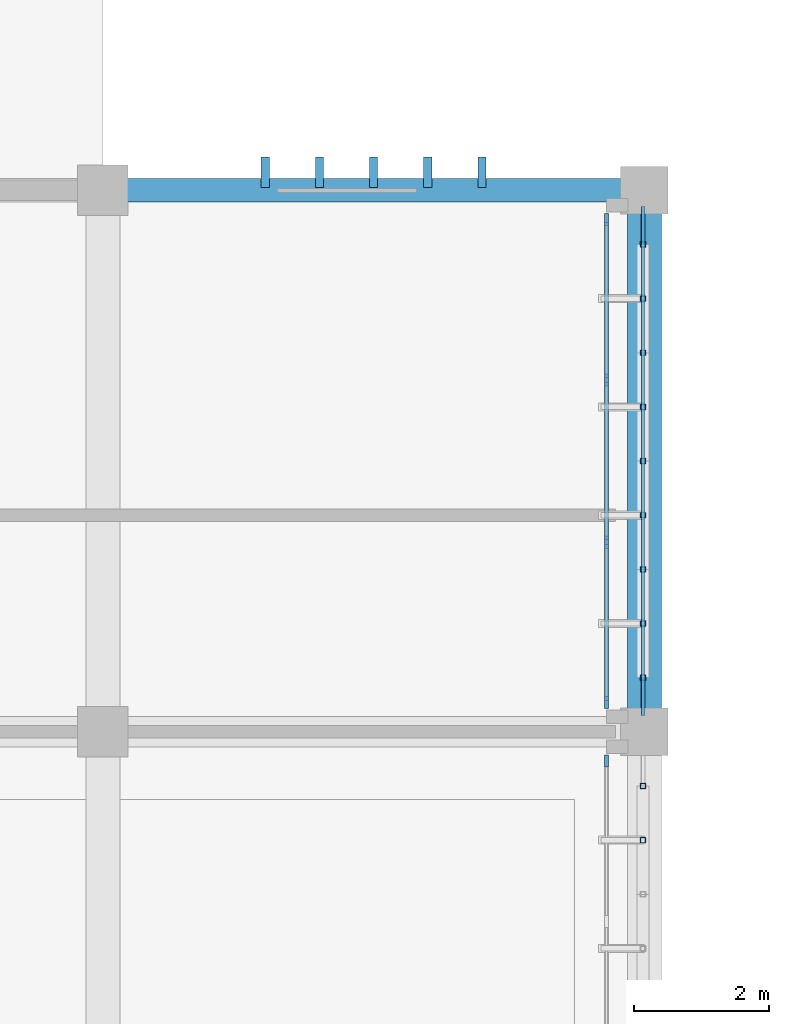
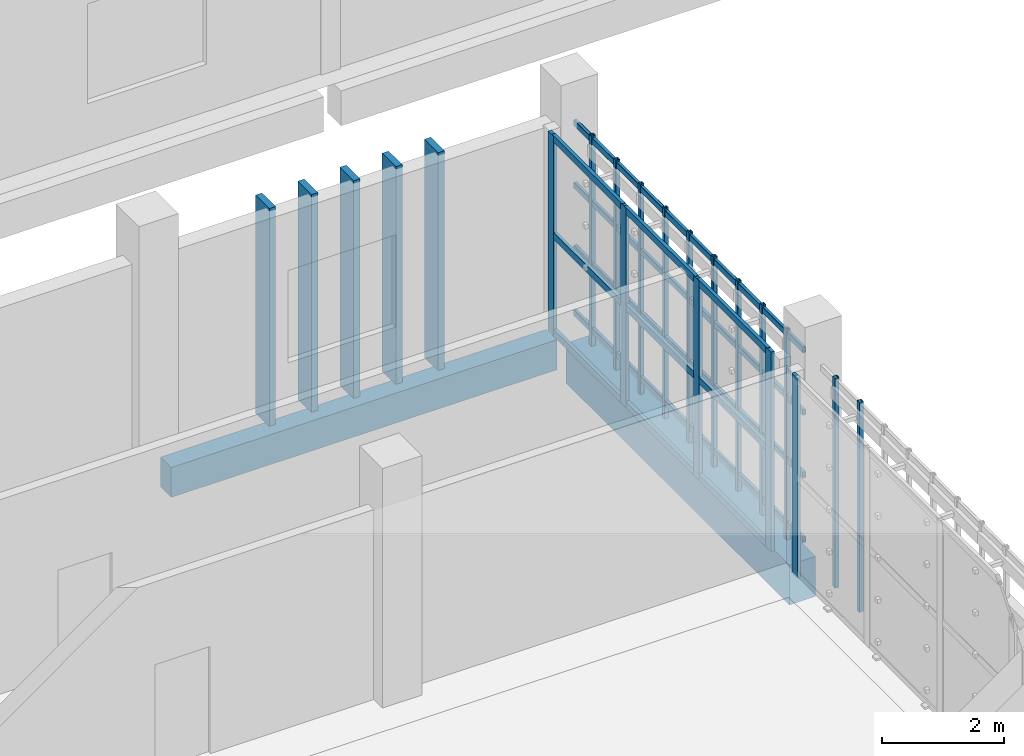
# One storey, part 73 of 117: 34 members, 2 beams, 2 elements without a shape of their own.
"""IFC4 building model written with IfcOpenShell, lengths in metres."""

from ifc_helpers import new_model, si_unit, direction, frame, origin, origin_2d, place, context, subcontext, project, spatial, rectangle, hollow_rectangle, extrude, material, layer, layer_set, material_profile, profile_set, type_object, element, aggregate, save


model = new_model("IFC4")

# Units and contexts
model_context = context("Model", 3, precision=1e-05, world=origin(), true_north=direction((0.0, 1.0)))
body_context = subcontext(model_context, "Body", "Model", "MODEL_VIEW")
ifc_project = project(units=[si_unit("LENGTHUNIT", "METRE"), si_unit("AREAUNIT", "SQUARE_METRE"), si_unit("VOLUMEUNIT", "CUBIC_METRE"), si_unit("PLANEANGLEUNIT", "RADIAN"), si_unit("MASSUNIT", "GRAM", prefix="KILO")], contexts=[model_context])

# Site, building, storey
site_placement = place(None, origin())
site = spatial("IfcSite", under=ifc_project, at=site_placement, CompositionType="ELEMENT")
building_placement = place(site_placement, origin())
building = spatial("IfcBuilding", under=site, at=building_placement, Name="Jelvoka-Kovrelna Polytechnic", CompositionType="ELEMENT")
storey_placement = place(building_placement, origin())
storey = spatial("IfcBuildingStorey", under=building, at=storey_placement, Name="L01", CompositionType="ELEMENT", Elevation=0.0)

# Beam
ifc_material_1 = material(Name="Concrete C40/50", Category="concrete")
ifc_material_profile_1 = material_profile(ifc_material_1, rectangle(XDim=0.5, YDim=0.800048828125, at=origin_2d()), Name="RC 500x800")
ifc_profile_set_1 = profile_set([ifc_material_profile_1], Name="Concrete C40/50")
beam_type_1 = type_object("IfcBeamType", Name="Beam_RC_500x800", PredefinedType="BEAM", material=ifc_profile_set_1)
beam_1_placement = place(storey_placement, frame((192.0, 64.330078125, -0.804931640625), z_axis=(0.0, 1.0, 0.0), x_axis=(-1.0, 0.0, 0.0)))
element("IfcBeam", 1, at=beam_1_placement, inside=storey, type_object=beam_type_1, Name="L01 beam 0522", PredefinedType="BEAM", context=body_context, shape_type="SweptSolid", body=[
    extrude(rectangle(XDim=0.5, YDim=0.800048828125, at=origin_2d()), origin(), (0.0, 0.0, 1.0), 7.33984375),
])

# Members
ifc_material_2 = material(Name="Precast concrete C40/50", Category="concrete")
ifc_material_profile_2 = material_profile(ifc_material_2, rectangle(XDim=0.1201171875, YDim=0.449951171875, at=origin_2d()), Name="PC 120x450")
ifc_profile_set_2 = profile_set([ifc_material_profile_2], Name="Precast concrete C40/50")
member_type_1 = type_object("IfcMemberType", Name="Louvre_Fin_120x450", PredefinedType="USERDEFINED", material=ifc_profile_set_2)
for number, where, z_axis, x_axis, name in (
    (2, (186.39990234375, 72.264892578125, -0.419921875), (0.0, 0.0, 1.0), (1.0, 0.0, 0.0), "L01 B3 north vertical solar louvre fin 1316"),
    (3, (187.199951171875, 72.264892578125, -0.419921875), (0.0, 0.0, 1.0), (1.0, 0.0, 0.0), "L01 B3 north vertical solar louvre fin 1317"),
    (4, (188.0, 72.264892578125, -0.419921875), (0.0, 0.0, 1.0), (1.0, 0.0, 0.0), "L01 B3 north vertical solar louvre fin 1318"),
    (5, (188.800048828125, 72.264892578125, -0.419921875), (0.0, 0.0, 1.0), (1.0, 0.0, 0.0), "L01 B3 north vertical solar louvre fin 1319"),
    (6, (189.60009765625, 72.264892578125, -0.419921875), (0.0, 0.0, 1.0), (1.0, 0.0, 0.0), "L01 B3 north vertical solar louvre fin 1320"),
):
    element("IfcMember", number, at=place(storey_placement, frame(where, z_axis=z_axis, x_axis=x_axis)), inside=storey, type_object=member_type_1, Name=name, ObjectType="SUNSHADE", PredefinedType="USERDEFINED", context=body_context, shape_type="SweptSolid", body=[
        extrude(rectangle(XDim=0.1201171875, YDim=0.449951171875, at=origin_2d()), origin(), (0.0, 0.0, 1.0), 4.3798828125),
    ])
ifc_material_3 = material(Name="Structural steel S355J2H", Category="steel")
ifc_material_profile_3 = material_profile(ifc_material_3, hollow_rectangle(XDim=0.06005859375, YDim=0.1201171875, WallThickness=0.0048828125, InnerFilletRadius=0.0048828125, OuterFilletRadius=0.007568359375, at=origin_2d()), Name="120x60x5.0 RHS")
ifc_profile_set_3 = profile_set([ifc_material_profile_3], Name="Structural steel S355J2H")
member_type_2 = type_object("IfcMemberType", Name="Member_Strut_RHS120", PredefinedType="STRUT", material=ifc_profile_set_3)
for number, where, z_axis, x_axis, name in (
    (7, (191.97998046875, 64.239990234375, 0.080078125), (0.0, 1.0, 0.0), (-1.0, 0.0, 0.0), "L01 terracotta screen horizontal strut 0638"),
    (8, (191.97998046875, 64.239990234375, 1.37548828125), (0.0, 1.0, 0.0), (-1.0, 0.0, 0.0), "L01 terracotta screen horizontal strut 0639"),
    (9, (191.97998046875, 64.239990234375, 2.6328125), (0.0, 1.0, 0.0), (-1.0, 0.0, 0.0), "L01 terracotta screen horizontal strut 0640"),
    (10, (191.97998046875, 64.239990234375, 3.889892578125), (0.0, 1.0, 0.0), (-1.0, 0.0, 0.0), "L01 terracotta screen horizontal strut 0641"),
):
    element("IfcMember", number, at=place(storey_placement, frame(where, z_axis=z_axis, x_axis=x_axis)), inside=storey, type_object=member_type_2, Name=name, PredefinedType="STRUT", context=body_context, shape_type="SweptSolid", body=[
        extrude(hollow_rectangle(XDim=0.06005859375, YDim=0.1201171875, WallThickness=0.0048828125, InnerFilletRadius=0.0048828125, OuterFilletRadius=0.007568359375, at=origin_2d()), origin(), (0.0, 0.0, 1.0), 7.52001953125),
    ])
ifc_material_4 = material(Name="Structural steel S355J2H", Category="steel")
ifc_material_profile_4 = material_profile(ifc_material_4, hollow_rectangle(XDim=0.080078125, YDim=0.080078125, WallThickness=0.0048828125, InnerFilletRadius=0.0048828125, OuterFilletRadius=0.007568359375, at=origin_2d()), Name="80x80x5.0 SHS")
ifc_profile_set_4 = profile_set([ifc_material_profile_4], Name="Structural steel S355J2H")
member_type_3 = type_object("IfcMemberType", Name="Member_Strut_SHS80", PredefinedType="STRUT", material=ifc_profile_set_4)
for number, where, z_axis, x_axis, name in (
    (11, (191.97998046875, 62.39990234375, -0.22998046875), (0.0, 0.0, 1.0), (1.0, 0.0, 0.0), "L01 terracotta lattice vertical rib 0636"),
    (12, (191.97998046875, 63.199951171875, -0.22998046875), (0.0, 0.0, 1.0), (1.0, 0.0, 0.0), "L01 terracotta lattice vertical rib 0637"),
    (13, (191.97998046875, 64.800048828125, -0.22998046875), (0.0, 0.0, 1.0), (1.0, 0.0, 0.0), "L01 terracotta lattice vertical rib 0642"),
    (14, (191.97998046875, 65.60009765625, -0.22998046875), (0.0, 0.0, 1.0), (1.0, 0.0, 0.0), "L01 terracotta lattice vertical rib 0643"),
    (15, (191.97998046875, 66.39990234375, -0.22998046875), (0.0, 0.0, 1.0), (1.0, 0.0, 0.0), "L01 terracotta lattice vertical rib 0644"),
    (16, (191.97998046875, 67.199951171875, -0.22998046875), (0.0, 0.0, 1.0), (1.0, 0.0, 0.0), "L01 terracotta lattice vertical rib 0645"),
    (17, (191.97998046875, 68.0, -0.22998046875), (0.0, 0.0, 1.0), (1.0, 0.0, 0.0), "L01 terracotta lattice vertical rib 0646"),
    (18, (191.97998046875, 68.800048828125, -0.22998046875), (0.0, 0.0, 1.0), (1.0, 0.0, 0.0), "L01 terracotta lattice vertical rib 0647"),
    (19, (191.97998046875, 69.60009765625, -0.22998046875), (0.0, 0.0, 1.0), (1.0, 0.0, 0.0), "L01 terracotta lattice vertical rib 0648"),
    (20, (191.97998046875, 70.39990234375, -0.22998046875), (0.0, 0.0, 1.0), (1.0, 0.0, 0.0), "L01 terracotta lattice vertical rib 0649"),
    (21, (191.97998046875, 71.199951171875, -0.22998046875), (0.0, 0.0, 1.0), (1.0, 0.0, 0.0), "L01 terracotta lattice vertical rib 0650"),
):
    element("IfcMember", number, at=place(storey_placement, frame(where, z_axis=z_axis, x_axis=x_axis)), inside=storey, type_object=member_type_3, Name=name, PredefinedType="STRUT", context=body_context, shape_type="SweptSolid", body=[
        extrude(hollow_rectangle(XDim=0.080078125, YDim=0.080078125, WallThickness=0.0048828125, InnerFilletRadius=0.0048828125, OuterFilletRadius=0.007568359375, at=origin_2d()), origin(), (0.0, 0.0, 1.0), 4.2099609375),
    ])

# Curtain wall, member
ifc_material_5 = material(Name="Anodised aluminium 6063-T6", Category="aluminium")
ifc_layer = layer(ifc_material_5, 0.179931640625)
ifc_layer_set = layer_set([ifc_layer], Name="Anodised aluminium 6063-T6")
curtain_wall_type = type_object("IfcCurtainWallType", Name="CW_Recessed_B", PredefinedType="NOTDEFINED", material=ifc_layer_set)
curtain_wall_1_placement = place(storey_placement, origin())
curtain_wall_1 = element("IfcCurtainWall", 22, at=curtain_wall_1_placement, inside=storey, type_object=curtain_wall_type, Name="L01 glazed curtain wall 081", PredefinedType="NOTDEFINED")
ifc_material_6 = material(Name="Anodised aluminium 6063-T6", Category="aluminium")
ifc_material_profile_5 = material_profile(ifc_material_6, rectangle(XDim=0.06494140625, YDim=0.179931640625, at=origin_2d()), Name="ALU 65x180")
ifc_profile_set_5 = profile_set([ifc_material_profile_5], Name="Anodised aluminium 6063-T6")
member_type_4 = type_object("IfcMemberType", Name="Mullion_M-02", PredefinedType="MULLION", material=ifc_profile_set_5)
member_1_placement = place(storey_placement, frame((191.43994140625, 63.5673828125, -0.02490234375), z_axis=(0.0, 0.0, 1.0), x_axis=(1.0, 0.0, 0.0)))
member_1 = element("IfcMember", 23, at=member_1_placement, type_object=member_type_4, Name="CW-02 mullion 1", PredefinedType="MULLION", context=body_context, shape_type="SweptSolid", body=[
    extrude(rectangle(XDim=0.06494140625, YDim=0.179931640625, at=origin_2d()), origin(), (0.0, 0.0, 1.0), 4.0),
])
aggregate(curtain_wall_1, [member_1])

# Curtain wall, members
curtain_wall_2_placement = place(storey_placement, origin())
curtain_wall_2 = element("IfcCurtainWall", 24, at=curtain_wall_2_placement, inside=storey, type_object=curtain_wall_type, Name="L01 glazed curtain wall 082", PredefinedType="NOTDEFINED")
member_2_placement = place(storey_placement, frame((191.43994140625, 71.5673828125, -0.02490234375), z_axis=(0.0, 0.0, 1.0), x_axis=(1.0, 0.0, 0.0)))
member_2 = element("IfcMember", 25, at=member_2_placement, type_object=member_type_4, Name="CW-02 mullion 1", PredefinedType="MULLION", context=body_context, shape_type="SweptSolid", body=[
    extrude(rectangle(XDim=0.06494140625, YDim=0.179931640625, at=origin_2d()), origin(), (0.0, 0.0, 1.0), 4.0),
])
member_3_placement = place(storey_placement, frame((191.43994140625, 69.199951171875, -0.02490234375), z_axis=(0.0, 0.0, 1.0), x_axis=(1.0, 0.0, 0.0)))
member_3 = element("IfcMember", 26, at=member_3_placement, type_object=member_type_4, Name="CW-02 mullion 2", PredefinedType="MULLION", context=body_context, shape_type="SweptSolid", body=[
    extrude(rectangle(XDim=0.06494140625, YDim=0.179931640625, at=origin_2d()), origin(), (0.0, 0.0, 1.0), 4.0),
])
member_4_placement = place(storey_placement, frame((191.43994140625, 66.800048828125, -0.02490234375), z_axis=(0.0, 0.0, 1.0), x_axis=(1.0, 0.0, 0.0)))
member_4 = element("IfcMember", 27, at=member_4_placement, type_object=member_type_4, Name="CW-02 mullion 3", PredefinedType="MULLION", context=body_context, shape_type="SweptSolid", body=[
    extrude(rectangle(XDim=0.06494140625, YDim=0.179931640625, at=origin_2d()), origin(), (0.0, 0.0, 1.0), 4.0),
])
member_5_placement = place(storey_placement, frame((191.43994140625, 64.4326171875, -0.02490234375), z_axis=(0.0, 0.0, 1.0), x_axis=(1.0, 0.0, 0.0)))
member_5 = element("IfcMember", 28, at=member_5_placement, type_object=member_type_4, Name="CW-02 mullion 4", PredefinedType="MULLION", context=body_context, shape_type="SweptSolid", body=[
    extrude(rectangle(XDim=0.06494140625, YDim=0.179931640625, at=origin_2d()), origin(), (0.0, 0.0, 1.0), 4.0),
])

# Beam
ifc_material_7 = material(Name="Concrete C40/50", Category="concrete")
ifc_material_profile_6 = material_profile(ifc_material_7, rectangle(XDim=0.35009765625, YDim=0.60009765625, at=origin_2d()), Name="RC 350x600")
ifc_profile_set_6 = profile_set([ifc_material_profile_6], Name="Concrete C40/50")
beam_type_2 = type_object("IfcBeamType", Name="Spandrel_RC_350x600", PredefinedType="SPANDREL", material=ifc_profile_set_6)
beam_2_placement = place(storey_placement, frame((184.35498046875, 72.0, -0.705078125), z_axis=(1.0, 0.0, 0.0), x_axis=(0.0, 1.0, 0.0)))
element("IfcBeam", 29, at=beam_2_placement, inside=storey, type_object=beam_type_2, Name="L01 beam 0502", PredefinedType="SPANDREL", context=body_context, shape_type="SweptSolid", body=[
    extrude(rectangle(XDim=0.35009765625, YDim=0.60009765625, at=origin_2d()), origin(), (0.0, 0.0, 1.0), 7.31494140625),
])

# Member
ifc_material_8 = material(Name="Anodised aluminium 6063-T6", Category="aluminium")
ifc_material_profile_7 = material_profile(ifc_material_8, rectangle(XDim=0.06494140625, YDim=0.135009765625, at=origin_2d()), Name="ALU 65x135")
ifc_profile_set_7 = profile_set([ifc_material_profile_7], Name="Anodised aluminium 6063-T6")
member_type_5 = type_object("IfcMemberType", Name="Transom_T-02", PredefinedType="USERDEFINED", material=ifc_profile_set_7)
member_6_placement = place(storey_placement, frame((191.43994140625, 71.534912109375, 0.032470703125), z_axis=(0.0, -1.0, 0.0), x_axis=(1.0, 0.0, 0.0)))
member_6 = element("IfcMember", 30, at=member_6_placement, type_object=member_type_5, Name="CW-02 transom 1.1", ObjectType="TRANSOM", PredefinedType="USERDEFINED", context=body_context, shape_type="SweptSolid", body=[
    extrude(rectangle(XDim=0.06494140625, YDim=0.135009765625, at=origin_2d()), origin(), (0.0, 0.0, 1.0), 2.302490234375),
])

member_7_placement = place(storey_placement, frame((191.43994140625, 71.534912109375, 1.97509765625), z_axis=(0.0, -1.0, 0.0), x_axis=(1.0, 0.0, 0.0)))
member_7 = element("IfcMember", 31, at=member_7_placement, type_object=member_type_5, Name="CW-02 transom 1.2", ObjectType="TRANSOM", PredefinedType="USERDEFINED", context=body_context, shape_type="SweptSolid", body=[
    extrude(rectangle(XDim=0.06494140625, YDim=0.135009765625, at=origin_2d()), origin(), (0.0, 0.0, 1.0), 2.302490234375),
])

member_8_placement = place(storey_placement, frame((191.43994140625, 71.534912109375, 3.91748046875), z_axis=(0.0, -1.0, 0.0), x_axis=(1.0, 0.0, 0.0)))
member_8 = element("IfcMember", 32, at=member_8_placement, type_object=member_type_5, Name="CW-02 transom 1.3", ObjectType="TRANSOM", PredefinedType="USERDEFINED", context=body_context, shape_type="SweptSolid", body=[
    extrude(rectangle(XDim=0.06494140625, YDim=0.135009765625, at=origin_2d()), origin(), (0.0, 0.0, 1.0), 2.302490234375),
])

member_9_placement = place(storey_placement, frame((191.43994140625, 69.16748046875, 0.032470703125), z_axis=(0.0, -1.0, 0.0), x_axis=(1.0, 0.0, 0.0)))
member_9 = element("IfcMember", 33, at=member_9_placement, type_object=member_type_5, Name="CW-02 transom 2.1", ObjectType="TRANSOM", PredefinedType="USERDEFINED", context=body_context, shape_type="SweptSolid", body=[
    extrude(rectangle(XDim=0.06494140625, YDim=0.135009765625, at=origin_2d()), origin(), (0.0, 0.0, 1.0), 2.3349609375),
])

member_10_placement = place(storey_placement, frame((191.43994140625, 69.16748046875, 1.97509765625), z_axis=(0.0, -1.0, 0.0), x_axis=(1.0, 0.0, 0.0)))
member_10 = element("IfcMember", 34, at=member_10_placement, type_object=member_type_5, Name="CW-02 transom 2.2", ObjectType="TRANSOM", PredefinedType="USERDEFINED", context=body_context, shape_type="SweptSolid", body=[
    extrude(rectangle(XDim=0.06494140625, YDim=0.135009765625, at=origin_2d()), origin(), (0.0, 0.0, 1.0), 2.3349609375),
])

member_11_placement = place(storey_placement, frame((191.43994140625, 69.16748046875, 3.91748046875), z_axis=(0.0, -1.0, 0.0), x_axis=(1.0, 0.0, 0.0)))
member_11 = element("IfcMember", 35, at=member_11_placement, type_object=member_type_5, Name="CW-02 transom 2.3", ObjectType="TRANSOM", PredefinedType="USERDEFINED", context=body_context, shape_type="SweptSolid", body=[
    extrude(rectangle(XDim=0.06494140625, YDim=0.135009765625, at=origin_2d()), origin(), (0.0, 0.0, 1.0), 2.3349609375),
])

member_12_placement = place(storey_placement, frame((191.43994140625, 66.767578125, 0.032470703125), z_axis=(0.0, -1.0, 0.0), x_axis=(1.0, 0.0, 0.0)))
member_12 = element("IfcMember", 36, at=member_12_placement, type_object=member_type_5, Name="CW-02 transom 3.1", ObjectType="TRANSOM", PredefinedType="USERDEFINED", context=body_context, shape_type="SweptSolid", body=[
    extrude(rectangle(XDim=0.06494140625, YDim=0.135009765625, at=origin_2d()), origin(), (0.0, 0.0, 1.0), 2.302490234375),
])

member_13_placement = place(storey_placement, frame((191.43994140625, 66.767578125, 1.97509765625), z_axis=(0.0, -1.0, 0.0), x_axis=(1.0, 0.0, 0.0)))
member_13 = element("IfcMember", 37, at=member_13_placement, type_object=member_type_5, Name="CW-02 transom 3.2", ObjectType="TRANSOM", PredefinedType="USERDEFINED", context=body_context, shape_type="SweptSolid", body=[
    extrude(rectangle(XDim=0.06494140625, YDim=0.135009765625, at=origin_2d()), origin(), (0.0, 0.0, 1.0), 2.302490234375),
])

member_14_placement = place(storey_placement, frame((191.43994140625, 66.767578125, 3.91748046875), z_axis=(0.0, -1.0, 0.0), x_axis=(1.0, 0.0, 0.0)))
member_14 = element("IfcMember", 38, at=member_14_placement, type_object=member_type_5, Name="CW-02 transom 3.3", ObjectType="TRANSOM", PredefinedType="USERDEFINED", context=body_context, shape_type="SweptSolid", body=[
    extrude(rectangle(XDim=0.06494140625, YDim=0.135009765625, at=origin_2d()), origin(), (0.0, 0.0, 1.0), 2.302490234375),
])

aggregate(curtain_wall_2, [member_2, member_3, member_4, member_5, member_6, member_7, member_8, member_9, member_10, member_11, member_12, member_13, member_14])

save(model, "model.ifc")
